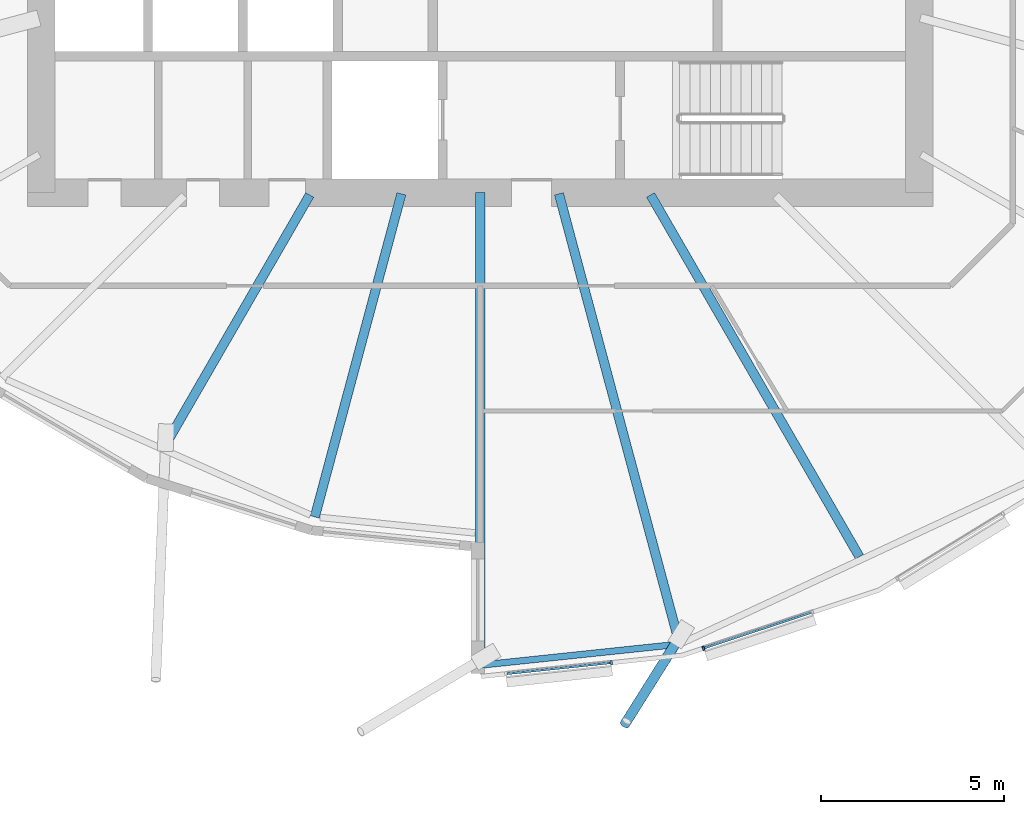
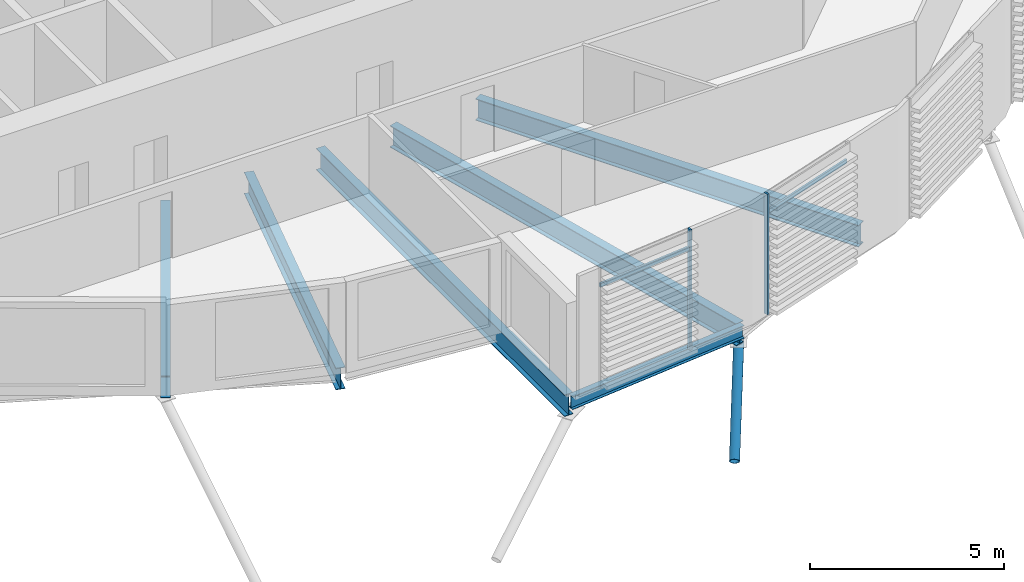
# One storey, part 4 of 40: 6 beams, 5 members, 1 element without a shape of its own.
"""IFC4 building model written with IfcOpenShell, lengths in metres."""

from ifc_helpers import new_model, si_unit, direction, frame, origin, origin_2d, place, context, subcontext, project, spatial, rectangle, hollow_circle, i_section, extrude, clip, halfspace, material, material_profile, profile_set, type_object, element, aggregate, save


model = new_model("IFC4")

# Units and contexts
model_context = context("Model", 3, precision=1e-05, world=origin(), true_north=direction((0.0, 1.0)))
body_context = subcontext(model_context, "Body", "Model", "MODEL_VIEW")
ifc_project = project(units=[si_unit("LENGTHUNIT", "METRE"), si_unit("AREAUNIT", "SQUARE_METRE"), si_unit("VOLUMEUNIT", "CUBIC_METRE"), si_unit("PLANEANGLEUNIT", "RADIAN"), si_unit("MASSUNIT", "GRAM", prefix="KILO")], contexts=[model_context])

# Site, building, storey
site_placement = place(None, origin())
site = spatial("IfcSite", under=ifc_project, at=site_placement, CompositionType="ELEMENT")
building_placement = place(site_placement, origin())
building = spatial("IfcBuilding", under=site, at=building_placement, Name="Rimbun Link Towers", CompositionType="ELEMENT")
storey_placement = place(building_placement, frame((0.0, 0.0, 89.199951171875)))
storey = spatial("IfcBuildingStorey", under=building, at=storey_placement, Name="L21", CompositionType="ELEMENT", Elevation=89.199951171875)

# Curtain wall, members
ifc_material_1 = material(Name="Aluminium 6063-T6 and low-iron glass", Category="aluminium")
curtain_wall_type = type_object("IfcCurtainWallType", Name="CW1-Z2 unitised vision wall (zone 2)", PredefinedType="NOTDEFINED", material=ifc_material_1)
curtain_wall_placement = place(storey_placement, origin())
curtain_wall = element("IfcCurtainWall", 1, at=curtain_wall_placement, inside=storey, type_object=curtain_wall_type, Name="CW1 L21 T1", PredefinedType="NOTDEFINED")
ifc_material_2 = material(Name="Aluminium 6063-T6", Category="aluminium")
ifc_material_profile_1 = material_profile(ifc_material_2, rectangle(XDim=0.1201171875, YDim=0.06005859375, at=origin_2d()), Name="MULLION 60X120")
ifc_profile_set_1 = profile_set([ifc_material_profile_1], Name="Aluminium 6063-T6")
member_type_1 = type_object("IfcMemberType", Name="CW1 mullion 60X120", PredefinedType="MULLION", material=ifc_profile_set_1)
member_1_placement = place(storey_placement, frame((-28.167236328125, -20.84912109375, 0.0), z_axis=(0.0, 0.0, 1.0), x_axis=(0.104736404583, -0.994500017876, 0.0)))
member_1 = element("IfcMember", 2, at=member_1_placement, type_object=member_type_1, Name="CW1 mullion", PredefinedType="MULLION", context=body_context, shape_type="SweptSolid", body=[
    extrude(rectangle(XDim=0.1201171875, YDim=0.06005859375, at=origin_2d()), origin(), (0.0, 0.0, 1.0), 3.800048828125),
])
member_2_placement = place(storey_placement, frame((-25.645751953125, -20.453369140625, 0.0), z_axis=(0.0, 0.0, 1.0), x_axis=(0.314576015911, -0.949232284646, 0.0)))
member_2 = element("IfcMember", 3, at=member_2_placement, type_object=member_type_1, Name="CW1 mullion", PredefinedType="MULLION", context=body_context, shape_type="SweptSolid", body=[
    extrude(rectangle(XDim=0.1201171875, YDim=0.06005859375, at=origin_2d()), origin(), (0.0, 0.0, 1.0), 3.800048828125),
])
ifc_material_3 = material(Name="Aluminium 6063-T6", Category="aluminium")
ifc_material_profile_2 = material_profile(ifc_material_3, rectangle(XDim=0.06005859375, YDim=0.1201171875, at=origin_2d()), Name="TRANSOM 60X120")
ifc_profile_set_2 = profile_set([ifc_material_profile_2], Name="Aluminium 6063-T6")
member_type_2 = type_object("IfcMemberType", Name="CW1 transom 60X120", PredefinedType="USERDEFINED", material=ifc_profile_set_2)
member_3_placement = place(storey_placement, frame((-28.197265625, -20.85009765625, 3.199951171875), z_axis=(-0.994497431471, -0.104760960279, 0.0), x_axis=(0.104760960279, -0.994497431471, 0.0)))
member_3 = element("IfcMember", 4, at=member_3_placement, type_object=member_type_2, Name="CW1 transom", ObjectType="TRANSOM", PredefinedType="USERDEFINED", context=body_context, shape_type="SweptSolid", body=[
    extrude(rectangle(XDim=0.06005859375, YDim=0.1201171875, at=origin_2d()), origin(), (0.0, 0.0, 1.0), 2.836181640625),
])
member_4_placement = place(storey_placement, frame((-22.701904296875, -19.4755859375, 3.199951171875), z_axis=(-0.949238148414, -0.314558321452, 0.0), x_axis=(0.314558321452, -0.949238148414, 0.0)))
member_4 = element("IfcMember", 5, at=member_4_placement, type_object=member_type_2, Name="CW1 transom", ObjectType="TRANSOM", PredefinedType="USERDEFINED", context=body_context, shape_type="SweptSolid", body=[
    extrude(rectangle(XDim=0.06005859375, YDim=0.1201171875, at=origin_2d()), origin(), (0.0, 0.0, 1.0), 3.072021484375),
])
aggregate(curtain_wall, [member_1, member_2, member_3, member_4])

# Member
ifc_material_4 = material(Name="Steel S355J2H", Category="steel")
ifc_material_profile_3 = material_profile(ifc_material_4, hollow_circle(Radius=0.136474609375, WallThickness=0.012451171875, at=origin_2d()), Name="CHS 273x12.5")
ifc_profile_set_3 = profile_set([ifc_material_profile_3], Name="Steel S355J2H")
member_type_3 = type_object("IfcMemberType", Name="Floor edge link CHS 273x12.5", PredefinedType="BRACE", material=ifc_profile_set_3)
member_5_placement = place(storey_placement, frame((-26.336181640625, -20.204345703125, -0.9599609375), z_axis=(-0.454514198416, -0.722632889033, -0.520786473639), x_axis=(0.846484614842, -0.53241318244, 0.0)))
element("IfcMember", 6, at=member_5_placement, inside=storey, type_object=member_type_3, Name="Floor edge link T1 L21 19", PredefinedType="BRACE", context=body_context, shape_type="Clipping", body=[
    clip(extrude(hollow_circle(Radius=0.136474609375, WallThickness=0.012451171875, at=origin_2d()), frame((0.0, 0.0, -0.466796875)), (0.0, 0.0, 1.0), 3.690185546875), halfspace(frame((0.0, 0.0, -0.219970703125), z_axis=(0.0, 0.853686973588, -0.520786473639)), False)),
])

# Beams
ifc_material_5 = material(Name="Steel S355J2", Category="steel")
ifc_material_profile_4 = material_profile(ifc_material_5, i_section(OverallWidth=0.177978515625, OverallDepth=0.406494140625, WebThickness=0.0078125, FlangeThickness=0.0126953125, at=origin_2d()), Name="UB 406x178x60")
ifc_profile_set_4 = profile_set([ifc_material_profile_4], Name="Steel S355J2")
beam_type_1 = type_object("IfcBeamType", Name="UB 406x178x60", PredefinedType="BEAM", material=ifc_profile_set_4)
beam_1_placement = place(storey_placement, frame((-31.7490234375, -20.91455078125, -0.363037109375), z_axis=(0.994501056643, 0.104726540738, 0.0), x_axis=(-0.104726540738, 0.994501056643, 0.0)))
element("IfcBeam", 7, at=beam_1_placement, inside=storey, type_object=beam_type_1, Name="Edge beam T1 L21 18", PredefinedType="BEAM", context=body_context, shape_type="SweptSolid", body=[
    extrude(i_section(OverallWidth=0.177978515625, OverallDepth=0.406494140625, WebThickness=0.0078125, FlangeThickness=0.0126953125, at=origin_2d()), origin(), (0.0, 0.0, 1.0), 5.478271484375),
])
ifc_material_6 = material(Name="Steel S355J2", Category="steel")
ifc_material_profile_5 = material_profile(ifc_material_6, i_section(OverallWidth=0.253662109375, OverallDepth=0.68359375, WebThickness=0.012451171875, FlangeThickness=0.01904296875, at=origin_2d()), Name="UB 686x254x140")
ifc_profile_set_5 = profile_set([ifc_material_profile_5], Name="Steel S355J2")
beam_type_2 = type_object("IfcBeamType", Name="UB 686x254x140", PredefinedType="BEAM", material=ifc_profile_set_5)
beam_2_placement = place(storey_placement, frame((-36.406005859375, -8.064208984375, -0.501708984375), z_axis=(-0.49997721687, -0.866038557231, 0.0), x_axis=(0.866038557231, -0.49997721687, 0.0)))
element("IfcBeam", 8, at=beam_2_placement, inside=storey, type_object=beam_type_2, Name="Radial beam T1 L21 16", PredefinedType="BEAM", context=body_context, shape_type="SweptSolid", body=[
    extrude(i_section(OverallWidth=0.253662109375, OverallDepth=0.68359375, WebThickness=0.012451171875, FlangeThickness=0.01904296875, at=origin_2d()), origin(), (0.0, 0.0, 1.0), 7.935791015625),
])
beam_3_placement = place(storey_placement, frame((-33.902587890625, -8.03369140625, -0.501708984375), z_axis=(-0.258834431817, -0.9659217033, 0.0), x_axis=(0.9659217033, -0.258834431817, 0.0)))
element("IfcBeam", 9, at=beam_3_placement, inside=storey, type_object=beam_type_2, Name="Radial beam T1 L21 17", PredefinedType="BEAM", context=body_context, shape_type="SweptSolid", body=[
    extrude(i_section(OverallWidth=0.253662109375, OverallDepth=0.68359375, WebThickness=0.012451171875, FlangeThickness=0.01904296875, at=origin_2d()), origin(), (0.0, 0.0, 1.0), 9.140869140625),
])
beam_4_placement = place(storey_placement, frame((-31.75, -8.0009765625, -0.501708984375), z_axis=(0.0, -1.0, 0.0), x_axis=(1.0, 0.0, 0.0)))
element("IfcBeam", 10, at=beam_4_placement, inside=storey, type_object=beam_type_2, Name="Radial beam T1 L21 18", PredefinedType="BEAM", context=body_context, shape_type="SweptSolid", body=[
    extrude(i_section(OverallWidth=0.253662109375, OverallDepth=0.68359375, WebThickness=0.012451171875, FlangeThickness=0.01904296875, at=origin_2d()), origin(), (0.0, 0.0, 1.0), 12.8232421875),
])
beam_5_placement = place(storey_placement, frame((-29.597412109375, -8.03369140625, -0.501708984375), z_axis=(0.258826443488, -0.965923843867, 0.0), x_axis=(0.965923843867, 0.258826443488, 0.0)))
element("IfcBeam", 11, at=beam_5_placement, inside=storey, type_object=beam_type_2, Name="Radial beam T1 L21 19", PredefinedType="BEAM", context=body_context, shape_type="SweptSolid", body=[
    extrude(i_section(OverallWidth=0.253662109375, OverallDepth=0.68359375, WebThickness=0.012451171875, FlangeThickness=0.01904296875, at=origin_2d()), origin(), (0.0, 0.0, 1.0), 12.650146484375),
])
beam_6_placement = place(storey_placement, frame((-27.093994140625, -8.064208984375, -0.501708984375), z_axis=(0.499984701234, -0.866034236351, 0.0), x_axis=(0.866034236351, 0.499984701234, 0.0)))
element("IfcBeam", 12, at=beam_6_placement, inside=storey, type_object=beam_type_2, Name="Radial beam T1 L21 20", PredefinedType="BEAM", context=body_context, shape_type="SweptSolid", body=[
    extrude(i_section(OverallWidth=0.253662109375, OverallDepth=0.68359375, WebThickness=0.012451171875, FlangeThickness=0.01904296875, at=origin_2d()), origin(), (0.0, 0.0, 1.0), 11.416259765625),
])

save(model, "model.ifc")
